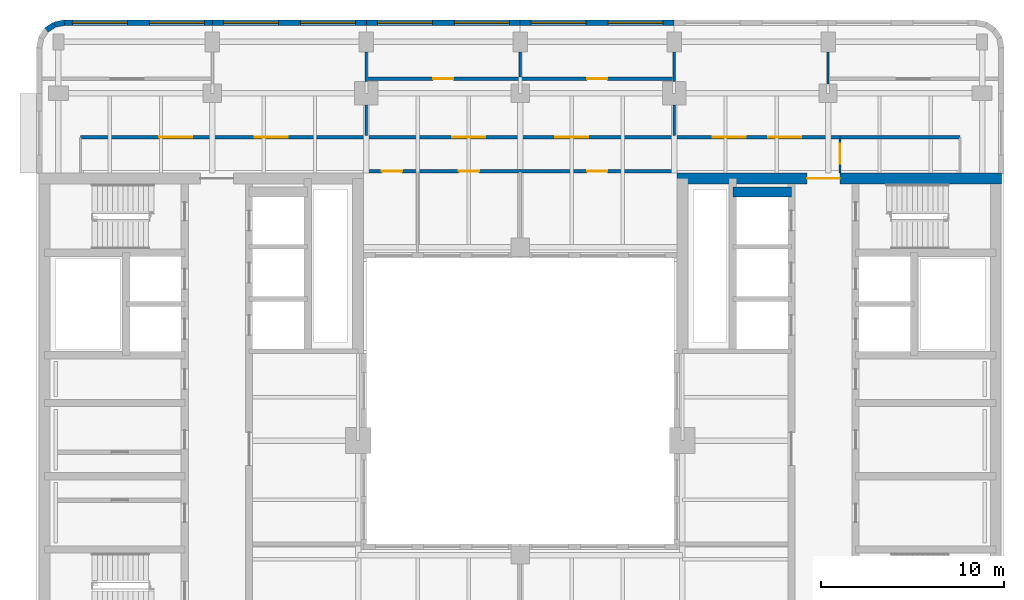
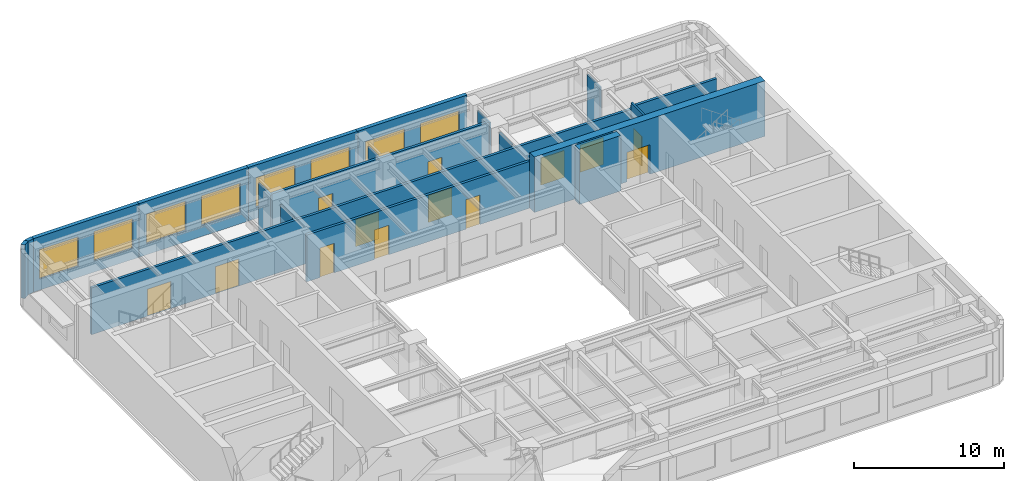
# One storey, part 7 of 11: 19 walls, 13 doors, 8 windows, 21 openings.
"""IFC4 building model written with IfcOpenShell, lengths in metres."""

from ifc_helpers import new_model, si_unit, direction, frame, frame_2d, origin, place, context, subcontext, project, spatial, rectangle, extrude, material, layer, layer_set, type_object, element, fill, save


model = new_model("IFC4")

# Units and contexts
model_context = context("Model", 3, precision=1e-05, world=origin(), true_north=direction((0.0, 1.0)))
body_context = subcontext(model_context, "Body", "Model", "MODEL_VIEW")
ifc_project = project(units=[si_unit("LENGTHUNIT", "METRE"), si_unit("AREAUNIT", "SQUARE_METRE"), si_unit("VOLUMEUNIT", "CUBIC_METRE"), si_unit("PLANEANGLEUNIT", "RADIAN"), si_unit("MASSUNIT", "GRAM", prefix="KILO")], contexts=[model_context])

# Site, building, storey
site_placement = place(None, origin())
site = spatial("IfcSite", under=ifc_project, at=site_placement, CompositionType="ELEMENT")
building_placement = place(site_placement, origin())
building = spatial("IfcBuilding", under=site, at=building_placement, Name="Claustro Exchange Tower", CompositionType="ELEMENT")
storey_placement = place(building_placement, frame((0.0, 0.0, 259.199951171875)))
storey = spatial("IfcBuildingStorey", under=building, at=storey_placement, Name="L59", CompositionType="ELEMENT", Elevation=259.199951171875)

# Walls
ifc_material_1 = material(Name="Laminated glass in aluminium frame", Category="aluminium")
ifc_layer_1 = layer(ifc_material_1, 0.1201171875)
ifc_layer_set_1 = layer_set([ifc_layer_1], Name="Laminated glass in aluminium frame")
wall_type_1 = type_object("IfcWallType", Name="P2 120 glazed partition", PredefinedType="PARTITIONING", material=ifc_layer_set_1)
wall_1_placement = place(storey_placement, frame((16.800048828125, 42.64794921875, 0.0), z_axis=(0.0, 0.0, 1.0), x_axis=(0.0, 1.0, 0.0)))
element("IfcWall", 1, at=wall_1_placement, inside=storey, type_object=wall_type_1, Name="Partition P2 L59", PredefinedType="PARTITIONING", context=body_context, shape_type="SweptSolid", body=[
    extrude(rectangle(XDim=1.60302734375, YDim=0.1201171875, at=frame_2d((0.801513671875, 0.0))), origin(), (0.0, 0.0, 1.0), 3.989990234375),
])
wall_2_placement = place(storey_placement, frame((25.199951171875, 42.89794921875, 0.0), z_axis=(0.0, 0.0, 1.0), x_axis=(0.0, 1.0, 0.0)))
element("IfcWall", 2, at=wall_2_placement, inside=storey, type_object=wall_type_1, Name="Partition P2 L59", PredefinedType="PARTITIONING", context=body_context, shape_type="SweptSolid", body=[
    extrude(rectangle(XDim=1.35302734375, YDim=0.1201171875, at=frame_2d((0.676513671875, 0.0))), origin(), (0.0, 0.0, 1.0), 3.989990234375),
])
wall_3_placement = place(storey_placement, frame((33.60009765625, 42.64794921875, 0.0), z_axis=(0.0, 0.0, 1.0), x_axis=(0.0, 1.0, 0.0)))
element("IfcWall", 3, at=wall_3_placement, inside=storey, type_object=wall_type_1, Name="Partition P2 L59", PredefinedType="PARTITIONING", context=body_context, shape_type="SweptSolid", body=[
    extrude(rectangle(XDim=1.60302734375, YDim=0.1201171875, at=frame_2d((0.801513671875, 0.0))), origin(), (0.0, 0.0, 1.0), 3.989990234375),
])
wall_4_placement = place(storey_placement, frame((42.0, 42.498046875, 0.0), z_axis=(0.0, 0.0, 1.0), x_axis=(0.0, 1.0, 0.0)))
element("IfcWall", 4, at=wall_4_placement, inside=storey, type_object=wall_type_1, Name="Partition P2 L59", PredefinedType="PARTITIONING", context=body_context, shape_type="SweptSolid", body=[
    extrude(rectangle(XDim=1.7529296875, YDim=0.1201171875, at=frame_2d((0.87646484375, 0.0))), origin(), (0.0, 0.0, 1.0), 3.989990234375),
])
for number, where, z_axis, x_axis, name in (
    (5, (16.800048828125, 39.697998046875, 0.0), (0.0, 0.0, 1.0), (0.0, 1.0, 0.0), "Partition P2 L59"),
    (6, (33.60009765625, 39.697998046875, 0.0), (0.0, 0.0, 1.0), (0.0, 1.0, 0.0), "Partition P2 L59"),
):
    element("IfcWall", number, at=place(storey_placement, frame(where, z_axis=z_axis, x_axis=x_axis)), inside=storey, type_object=wall_type_1, Name=name, PredefinedType="PARTITIONING", context=body_context, shape_type="SweptSolid", body=[
        extrude(rectangle(XDim=1.653076171875, YDim=0.1201171875, at=frame_2d((0.82666015625, 0.0))), origin(), (0.0, 0.0, 1.0), 3.989990234375),
    ])

# Wall, opening, door
wall_5_placement = place(storey_placement, frame((42.64990234375, 37.64794921875, 0.0), z_axis=(0.0, 0.0, 1.0), x_axis=(0.0, 1.0, 0.0)))
wall_5 = element("IfcWall", 7, at=wall_5_placement, inside=storey, type_object=wall_type_1, Name="Partition P2 L59", PredefinedType="PARTITIONING", context=body_context, shape_type="SweptSolid", body=[
    extrude(rectangle(XDim=1.85400390625, YDim=0.1201171875, at=frame_2d((0.927001953125, 0.0))), origin(), (0.0, 0.0, 1.0), 4.35009765625),
])
opening_1_placement = place(wall_5_placement, frame((0.501953125, 0.0, 0.0)))
opening_1 = element("IfcOpeningElement", 8, at=opening_1_placement, cuts=wall_5, Name="Opening D8", PredefinedType="OPENING", context=body_context, shape_type="SweptSolid", body=[
    extrude(rectangle(XDim=1.10009765625, YDim=2.39990234375, at=frame_2d((0.550048828125, 1.199951171875))), frame((0.0, 0.070068359375, 0.0), z_axis=(0.0, -1.0, 0.0), x_axis=(1.0, 0.0, 0.0)), (0.0, 0.0, 1.0), 0.14013671875),
])
ifc_material_2 = material(Name="Timber door, walnut veneer", Category="wood")
door_type_1 = type_object("IfcDoorType", Name="D8 1100 x 2400 executive door", OperationType="SINGLE_SWING_LEFT", PredefinedType="DOOR", material=ifc_material_2)
door_1_placement = place(opening_1_placement, frame((1.10009765625, 0.0, 0.0), z_axis=(0.0, 0.0, 1.0), x_axis=(-1.0, 0.0, 0.0)))
door_1 = element("IfcDoor", 9, at=door_1_placement, inside=storey, type_object=door_type_1, Name="Door D8 L59", OperationType="SINGLE_SWING_LEFT", OverallHeight=2.39990234375, OverallWidth=1.10009765625, PredefinedType="DOOR", context=body_context, shape_type="SweptSolid", body=[
    extrude(rectangle(XDim=1.10009765625, YDim=2.39990234375, at=frame_2d((0.550048828125, 1.199951171875))), frame((0.0, 0.02490234375, 0.0), z_axis=(0.0, -1.0, 0.0), x_axis=(1.0, 0.0, 0.0)), (0.0, 0.0, 1.0), 0.050048828125),
])
fill(opening_1, door_1)

# Wall, openings, doors
ifc_material_3 = material(Name="Twin-skin gypsum board on steel studs, mineral wool", Category="steel")
ifc_layer_2 = layer(ifc_material_3, 0.199951171875)
ifc_layer_set_2 = layer_set([ifc_layer_2], Name="Twin-skin gypsum board on steel studs, mineral wool")
wall_type_2 = type_object("IfcWallType", Name="P3 200 acoustic partition", PredefinedType="PARTITIONING", material=ifc_layer_set_2)
wall_6_placement = place(storey_placement, frame((16.800048828125, 42.800048828125, 0.0), z_axis=(0.0, 0.0, 1.0), x_axis=(1.0, 0.0, 0.0)))
wall_6 = element("IfcWall", 10, at=wall_6_placement, inside=storey, type_object=wall_type_2, Name="Partition P3 L59", PredefinedType="PARTITIONING", context=body_context, shape_type="SweptSolid", body=[
    extrude(rectangle(XDim=16.800048828125, YDim=0.199951171875, at=frame_2d((8.39990234375, 0.0))), origin(), (0.0, 0.0, 1.0), 3.989990234375),
])
opening_2_placement = place(wall_6_placement, frame((3.64990234375, 0.0, 0.0)))
opening_2 = element("IfcOpeningElement", 11, at=opening_2_placement, cuts=wall_6, Name="Opening D8", PredefinedType="OPENING", context=body_context, shape_type="SweptSolid", body=[
    extrude(rectangle(XDim=1.10009765625, YDim=2.39990234375, at=frame_2d((0.550048828125, 1.199951171875))), frame((0.0, 0.10986328125, 0.0), z_axis=(0.0, -1.0, 0.0), x_axis=(1.0, 0.0, 0.0)), (0.0, 0.0, 1.0), 0.219970703125),
])
opening_3_placement = place(wall_6_placement, frame((12.050048828125, 0.0, 0.0)))
opening_3 = element("IfcOpeningElement", 12, at=opening_3_placement, cuts=wall_6, Name="Opening D8", PredefinedType="OPENING", context=body_context, shape_type="SweptSolid", body=[
    extrude(rectangle(XDim=1.10009765625, YDim=2.39990234375, at=frame_2d((0.550048828125, 1.199951171875))), frame((0.0, 0.10986328125, 0.0), z_axis=(0.0, -1.0, 0.0), x_axis=(1.0, 0.0, 0.0)), (0.0, 0.0, 1.0), 0.219970703125),
])
door_2_placement = place(opening_2_placement, origin())
door_2 = element("IfcDoor", 13, at=door_2_placement, inside=storey, type_object=door_type_1, Name="Door D8 L59", OperationType="SINGLE_SWING_RIGHT", OverallHeight=2.39990234375, OverallWidth=1.10009765625, PredefinedType="DOOR", context=body_context, shape_type="SweptSolid", body=[
    extrude(rectangle(XDim=1.10009765625, YDim=2.39990234375, at=frame_2d((0.550048828125, 1.199951171875))), frame((0.0, 0.02490234375, 0.0), z_axis=(0.0, -1.0, 0.0), x_axis=(1.0, 0.0, 0.0)), (0.0, 0.0, 1.0), 0.050048828125),
])
fill(opening_2, door_2)
door_3_placement = place(opening_3_placement, origin())
door_3 = element("IfcDoor", 14, at=door_3_placement, inside=storey, type_object=door_type_1, Name="Door D8 L59", OperationType="SINGLE_SWING_RIGHT", OverallHeight=2.39990234375, OverallWidth=1.10009765625, PredefinedType="DOOR", context=body_context, shape_type="SweptSolid", body=[
    extrude(rectangle(XDim=1.10009765625, YDim=2.39990234375, at=frame_2d((0.550048828125, 1.199951171875))), frame((0.0, 0.02490234375, 0.0), z_axis=(0.0, -1.0, 0.0), x_axis=(1.0, 0.0, 0.0)), (0.0, 0.0, 1.0), 0.050048828125),
])
fill(opening_3, door_3)

wall_7_placement = place(storey_placement, frame((1.199951171875, 39.60009765625, 0.0), z_axis=(0.0, 0.0, 1.0), x_axis=(1.0, 0.0, 0.0)))
wall_7 = element("IfcWall", 15, at=wall_7_placement, inside=storey, type_object=wall_type_2, Name="Partition P3 L59", PredefinedType="PARTITIONING", context=body_context, shape_type="SweptSolid", body=[
    extrude(rectangle(XDim=41.4521484375, YDim=0.199951171875, at=frame_2d((20.72607421875, 0.0))), origin(), (0.0, 0.0, 1.0), 3.800048828125),
])
opening_4_placement = place(wall_7_placement, frame((4.300048828125, 0.0, 0.0)))
opening_4 = element("IfcOpeningElement", 16, at=opening_4_placement, cuts=wall_7, Name="Opening D2", PredefinedType="OPENING", context=body_context, shape_type="SweptSolid", body=[
    extrude(rectangle(XDim=1.800048828125, YDim=2.199951171875, at=frame_2d((0.89990234375, 1.10009765625))), frame((0.0, 0.10986328125, 0.0), z_axis=(0.0, -1.0, 0.0), x_axis=(1.0, 0.0, 0.0)), (0.0, 0.0, 1.0), 0.219970703125),
])
opening_5_placement = place(wall_7_placement, frame((9.5, 0.0, 0.0)))
opening_5 = element("IfcOpeningElement", 17, at=opening_5_placement, cuts=wall_7, Name="Opening D2", PredefinedType="OPENING", context=body_context, shape_type="SweptSolid", body=[
    extrude(rectangle(XDim=1.800048828125, YDim=2.199951171875, at=frame_2d((0.89990234375, 1.10009765625))), frame((0.0, 0.10986328125, 0.0), z_axis=(0.0, -1.0, 0.0), x_axis=(1.0, 0.0, 0.0)), (0.0, 0.0, 1.0), 0.219970703125),
])
opening_6_placement = place(wall_7_placement, frame((20.300048828125, 0.0, 0.0)))
opening_6 = element("IfcOpeningElement", 18, at=opening_6_placement, cuts=wall_7, Name="Opening D2", PredefinedType="OPENING", context=body_context, shape_type="SweptSolid", body=[
    extrude(rectangle(XDim=1.800048828125, YDim=2.199951171875, at=frame_2d((0.89990234375, 1.10009765625))), frame((0.0, 0.10986328125, 0.0), z_axis=(0.0, -1.0, 0.0), x_axis=(1.0, 0.0, 0.0)), (0.0, 0.0, 1.0), 0.219970703125),
])
opening_7_placement = place(wall_7_placement, frame((25.89990234375, 0.0, 0.0)))
opening_7 = element("IfcOpeningElement", 19, at=opening_7_placement, cuts=wall_7, Name="Opening D2", PredefinedType="OPENING", context=body_context, shape_type="SweptSolid", body=[
    extrude(rectangle(XDim=1.800048828125, YDim=2.199951171875, at=frame_2d((0.89990234375, 1.10009765625))), frame((0.0, 0.10986328125, 0.0), z_axis=(0.0, -1.0, 0.0), x_axis=(1.0, 0.0, 0.0)), (0.0, 0.0, 1.0), 0.219970703125),
])
opening_8_placement = place(wall_7_placement, frame((34.5166015625, 0.0, 0.0)))
opening_8 = element("IfcOpeningElement", 20, at=opening_8_placement, cuts=wall_7, Name="Opening D2", PredefinedType="OPENING", context=body_context, shape_type="SweptSolid", body=[
    extrude(rectangle(XDim=1.800048828125, YDim=2.199951171875, at=frame_2d((0.89990234375, 1.10009765625))), frame((0.0, 0.10986328125, 0.0), z_axis=(0.0, -1.0, 0.0), x_axis=(1.0, 0.0, 0.0)), (0.0, 0.0, 1.0), 0.219970703125),
])
opening_9_placement = place(wall_7_placement, frame((37.533203125, 0.0, 0.0)))
opening_9 = element("IfcOpeningElement", 21, at=opening_9_placement, cuts=wall_7, Name="Opening D2", PredefinedType="OPENING", context=body_context, shape_type="SweptSolid", body=[
    extrude(rectangle(XDim=1.800048828125, YDim=2.199951171875, at=frame_2d((0.89990234375, 1.10009765625))), frame((0.0, 0.10986328125, 0.0), z_axis=(0.0, -1.0, 0.0), x_axis=(1.0, 0.0, 0.0)), (0.0, 0.0, 1.0), 0.219970703125),
])
ifc_material_4 = material(Name="Timber door, oak veneer", Category="wood")
door_type_2 = type_object("IfcDoorType", Name="D2 1800 x 2200 double door", OperationType="DOUBLE_DOOR_SINGLE_SWING", PredefinedType="DOOR", material=ifc_material_4)
door_4_placement = place(opening_4_placement, frame((1.800048828125, 0.0, 0.0), z_axis=(0.0, 0.0, 1.0), x_axis=(-1.0, 0.0, 0.0)))
door_4 = element("IfcDoor", 22, at=door_4_placement, inside=storey, type_object=door_type_2, Name="Double door D2 L59", OperationType="DOUBLE_DOOR_SINGLE_SWING", OverallHeight=2.199951171875, OverallWidth=1.800048828125, PredefinedType="DOOR", context=body_context, shape_type="SweptSolid", body=[
    extrude(rectangle(XDim=1.800048828125, YDim=2.199951171875, at=frame_2d((0.89990234375, 1.10009765625))), frame((0.0, 0.02490234375, 0.0), z_axis=(0.0, -1.0, 0.0), x_axis=(1.0, 0.0, 0.0)), (0.0, 0.0, 1.0), 0.050048828125),
])
fill(opening_4, door_4)
door_5_placement = place(opening_5_placement, frame((1.800048828125, 0.0, 0.0), z_axis=(0.0, 0.0, 1.0), x_axis=(-1.0, 0.0, 0.0)))
door_5 = element("IfcDoor", 23, at=door_5_placement, inside=storey, type_object=door_type_2, Name="Double door D2 L59", OperationType="DOUBLE_DOOR_SINGLE_SWING", OverallHeight=2.199951171875, OverallWidth=1.800048828125, PredefinedType="DOOR", context=body_context, shape_type="SweptSolid", body=[
    extrude(rectangle(XDim=1.800048828125, YDim=2.199951171875, at=frame_2d((0.89990234375, 1.10009765625))), frame((0.0, 0.02490234375, 0.0), z_axis=(0.0, -1.0, 0.0), x_axis=(1.0, 0.0, 0.0)), (0.0, 0.0, 1.0), 0.050048828125),
])
fill(opening_5, door_5)
door_6_placement = place(opening_6_placement, origin())
door_6 = element("IfcDoor", 24, at=door_6_placement, inside=storey, type_object=door_type_2, Name="Double door D2 L59", OperationType="DOUBLE_DOOR_SINGLE_SWING", OverallHeight=2.199951171875, OverallWidth=1.800048828125, PredefinedType="DOOR", context=body_context, shape_type="SweptSolid", body=[
    extrude(rectangle(XDim=1.800048828125, YDim=2.199951171875, at=frame_2d((0.89990234375, 1.10009765625))), frame((0.0, 0.02490234375, 0.0), z_axis=(0.0, -1.0, 0.0), x_axis=(1.0, 0.0, 0.0)), (0.0, 0.0, 1.0), 0.050048828125),
])
fill(opening_6, door_6)
door_7_placement = place(opening_7_placement, origin())
door_7 = element("IfcDoor", 25, at=door_7_placement, inside=storey, type_object=door_type_2, Name="Double door D2 L59", OperationType="DOUBLE_DOOR_SINGLE_SWING", OverallHeight=2.199951171875, OverallWidth=1.800048828125, PredefinedType="DOOR", context=body_context, shape_type="SweptSolid", body=[
    extrude(rectangle(XDim=1.800048828125, YDim=2.199951171875, at=frame_2d((0.89990234375, 1.10009765625))), frame((0.0, 0.02490234375, 0.0), z_axis=(0.0, -1.0, 0.0), x_axis=(1.0, 0.0, 0.0)), (0.0, 0.0, 1.0), 0.050048828125),
])
fill(opening_7, door_7)
door_8_placement = place(opening_8_placement, origin())
door_8 = element("IfcDoor", 26, at=door_8_placement, inside=storey, type_object=door_type_2, Name="Double door D2 L59", OperationType="DOUBLE_DOOR_SINGLE_SWING", OverallHeight=2.199951171875, OverallWidth=1.800048828125, PredefinedType="DOOR", context=body_context, shape_type="SweptSolid", body=[
    extrude(rectangle(XDim=1.800048828125, YDim=2.199951171875, at=frame_2d((0.89990234375, 1.10009765625))), frame((0.0, 0.02490234375, 0.0), z_axis=(0.0, -1.0, 0.0), x_axis=(1.0, 0.0, 0.0)), (0.0, 0.0, 1.0), 0.050048828125),
])
fill(opening_8, door_8)
door_9_placement = place(opening_9_placement, origin())
door_9 = element("IfcDoor", 27, at=door_9_placement, inside=storey, type_object=door_type_2, Name="Double door D2 L59", OperationType="DOUBLE_DOOR_SINGLE_SWING", OverallHeight=2.199951171875, OverallWidth=1.800048828125, PredefinedType="DOOR", context=body_context, shape_type="SweptSolid", body=[
    extrude(rectangle(XDim=1.800048828125, YDim=2.199951171875, at=frame_2d((0.89990234375, 1.10009765625))), frame((0.0, 0.02490234375, 0.0), z_axis=(0.0, -1.0, 0.0), x_axis=(1.0, 0.0, 0.0)), (0.0, 0.0, 1.0), 0.050048828125),
])
fill(opening_9, door_9)

# Wall
wall_8_placement = place(storey_placement, frame((42.64794921875, 39.60009765625, 0.0), z_axis=(0.0, 0.0, 1.0), x_axis=(1.0, 0.0, 0.0)))
element("IfcWall", 28, at=wall_8_placement, inside=storey, type_object=wall_type_2, Name="Partition P3 L59", PredefinedType="PARTITIONING", context=body_context, shape_type="SweptSolid", body=[
    extrude(rectangle(XDim=6.552001953125, YDim=0.199951171875, at=frame_2d((3.27587890625, 0.0))), origin(), (0.0, 0.0, 1.0), 3.989990234375),
])

# Wall, openings, doors
wall_9_placement = place(storey_placement, frame((16.64990234375, 37.75, 0.0), z_axis=(0.0, 0.0, 1.0), x_axis=(1.0, 0.0, 0.0)))
wall_9 = element("IfcWall", 29, at=wall_9_placement, inside=storey, type_object=wall_type_2, Name="Partition P3 L59", PredefinedType="PARTITIONING", context=body_context, shape_type="SweptSolid", body=[
    extrude(rectangle(XDim=17.10009765625, YDim=0.199951171875, at=frame_2d((8.550048828125, 0.0))), origin(), (0.0, 0.0, 1.0), 3.800048828125),
])
opening_10_placement = place(wall_9_placement, frame((1.000732421875, 0.0, 0.0)))
opening_10 = element("IfcOpeningElement", 30, at=opening_10_placement, cuts=wall_9, Name="Opening D8", PredefinedType="OPENING", context=body_context, shape_type="SweptSolid", body=[
    extrude(rectangle(XDim=1.10009765625, YDim=2.39990234375, at=frame_2d((0.550048828125, 1.199951171875))), frame((0.0, 0.10986328125, 0.0), z_axis=(0.0, -1.0, 0.0), x_axis=(1.0, 0.0, 0.0)), (0.0, 0.0, 1.0), 0.219970703125),
])
opening_11_placement = place(wall_9_placement, frame((5.2001953125, 0.0, 0.0)))
opening_11 = element("IfcOpeningElement", 31, at=opening_11_placement, cuts=wall_9, Name="Opening D8", PredefinedType="OPENING", context=body_context, shape_type="SweptSolid", body=[
    extrude(rectangle(XDim=1.10009765625, YDim=2.39990234375, at=frame_2d((0.550048828125, 1.199951171875))), frame((0.0, 0.10986328125, 0.0), z_axis=(0.0, -1.0, 0.0), x_axis=(1.0, 0.0, 0.0)), (0.0, 0.0, 1.0), 0.219970703125),
])
opening_12_placement = place(wall_9_placement, frame((12.2001953125, 0.0, 0.0)))
opening_12 = element("IfcOpeningElement", 32, at=opening_12_placement, cuts=wall_9, Name="Opening D8", PredefinedType="OPENING", context=body_context, shape_type="SweptSolid", body=[
    extrude(rectangle(XDim=1.10009765625, YDim=2.39990234375, at=frame_2d((0.550048828125, 1.199951171875))), frame((0.0, 0.10986328125, 0.0), z_axis=(0.0, -1.0, 0.0), x_axis=(1.0, 0.0, 0.0)), (0.0, 0.0, 1.0), 0.219970703125),
])
door_10_placement = place(opening_10_placement, frame((1.10009765625, 0.0, 0.0), z_axis=(0.0, 0.0, 1.0), x_axis=(-1.0, 0.0, 0.0)))
door_10 = element("IfcDoor", 33, at=door_10_placement, inside=storey, type_object=door_type_1, Name="Door D8 L59", OperationType="SINGLE_SWING_LEFT", OverallHeight=2.39990234375, OverallWidth=1.10009765625, PredefinedType="DOOR", context=body_context, shape_type="SweptSolid", body=[
    extrude(rectangle(XDim=1.10009765625, YDim=2.39990234375, at=frame_2d((0.550048828125, 1.199951171875))), frame((0.0, 0.02490234375, 0.0), z_axis=(0.0, -1.0, 0.0), x_axis=(1.0, 0.0, 0.0)), (0.0, 0.0, 1.0), 0.050048828125),
])
fill(opening_10, door_10)
door_11_placement = place(opening_11_placement, frame((1.10009765625, 0.0, 0.0), z_axis=(0.0, 0.0, 1.0), x_axis=(-1.0, 0.0, 0.0)))
door_11 = element("IfcDoor", 34, at=door_11_placement, inside=storey, type_object=door_type_1, Name="Door D8 L59", OperationType="SINGLE_SWING_LEFT", OverallHeight=2.39990234375, OverallWidth=1.10009765625, PredefinedType="DOOR", context=body_context, shape_type="SweptSolid", body=[
    extrude(rectangle(XDim=1.10009765625, YDim=2.39990234375, at=frame_2d((0.550048828125, 1.199951171875))), frame((0.0, 0.02490234375, 0.0), z_axis=(0.0, -1.0, 0.0), x_axis=(1.0, 0.0, 0.0)), (0.0, 0.0, 1.0), 0.050048828125),
])
fill(opening_11, door_11)
door_12_placement = place(opening_12_placement, frame((1.10009765625, 0.0, 0.0), z_axis=(0.0, 0.0, 1.0), x_axis=(-1.0, 0.0, 0.0)))
door_12 = element("IfcDoor", 35, at=door_12_placement, inside=storey, type_object=door_type_1, Name="Door D8 L59", OperationType="SINGLE_SWING_LEFT", OverallHeight=2.39990234375, OverallWidth=1.10009765625, PredefinedType="DOOR", context=body_context, shape_type="SweptSolid", body=[
    extrude(rectangle(XDim=1.10009765625, YDim=2.39990234375, at=frame_2d((0.550048828125, 1.199951171875))), frame((0.0, 0.02490234375, 0.0), z_axis=(0.0, -1.0, 0.0), x_axis=(1.0, 0.0, 0.0)), (0.0, 0.0, 1.0), 0.050048828125),
])
fill(opening_12, door_12)

# Walls
ifc_material_5 = material(Name="Concrete HA-40 (C40/50), precast, white cement, acid-etched", Category="concrete")
ifc_layer_3 = layer(ifc_material_5, 0.300048828125)
ifc_layer_set_3 = layer_set([ifc_layer_3], Name="Concrete HA-40 (C40/50), precast, white cement, acid-etched")
wall_type_3 = type_object("IfcWallType", Name="PC1 300 precast concrete pier panel", PredefinedType="SOLIDWALL", material=ifc_layer_set_3)
wall_10_placement = place(storey_placement, frame((-0.652587890625, 45.45263671875, 0.0), z_axis=(0.0, 0.0, 1.0), x_axis=(0.831692711774, 0.555236195849, 0.0)))
element("IfcWall", 36, at=wall_10_placement, inside=storey, type_object=wall_type_3, Name="Precast pier panel PC1 L59", PredefinedType="SOLIDWALL", context=body_context, shape_type="SweptSolid", body=[
    extrude(rectangle(XDim=0.525390625, YDim=0.300048828125, at=frame_2d((0.2626953125, 0.0))), origin(), (0.0, 0.0, 1.0), 4.35009765625),
])
wall_11_placement = place(storey_placement, frame((-0.215576171875, 45.744384765625, 0.0), z_axis=(0.0, 0.0, 1.0), x_axis=(0.980702050465, 0.1955082817, 0.0)))
element("IfcWall", 37, at=wall_11_placement, inside=storey, type_object=wall_type_3, Name="Precast pier panel PC1 L59", PredefinedType="SOLIDWALL", context=body_context, shape_type="SweptSolid", body=[
    extrude(rectangle(XDim=0.540771484375, YDim=0.300048828125, at=frame_2d((0.2705078125, 0.0))), origin(), (0.0, 0.0, 1.0), 4.35009765625),
])

# Wall, openings, windows
wall_12_placement = place(storey_placement, frame((0.314697265625, 45.85009765625, 0.0), z_axis=(0.0, 0.0, 1.0), x_axis=(1.0, 0.0, 0.0)))
wall_12 = element("IfcWall", 38, at=wall_12_placement, inside=storey, type_object=wall_type_3, Name="Precast pier panel PC1 L59", PredefinedType="SOLIDWALL", context=body_context, shape_type="SweptSolid", body=[
    extrude(rectangle(XDim=8.085205078125, YDim=0.300048828125, at=frame_2d((4.04248046875, 0.0))), origin(), (0.0, 0.0, 1.0), 4.35009765625),
])
opening_13_placement = place(wall_12_placement, frame((0.442626953125, 0.0, 0.89990234375)))
opening_13 = element("IfcOpeningElement", 39, at=opening_13_placement, cuts=wall_12, Name="Opening W3", PredefinedType="OPENING", context=body_context, shape_type="SweptSolid", body=[
    extrude(rectangle(XDim=3.0, YDim=2.39990234375, at=frame_2d((1.5, 1.199951171875))), frame((0.0, 0.159912109375, 0.0), z_axis=(0.0, -1.0, 0.0), x_axis=(1.0, 0.0, 0.0)), (0.0, 0.0, 1.0), 0.320068359375),
])
opening_14_placement = place(wall_12_placement, frame((4.642578125, 0.0, 0.89990234375)))
opening_14 = element("IfcOpeningElement", 40, at=opening_14_placement, cuts=wall_12, Name="Opening W3", PredefinedType="OPENING", context=body_context, shape_type="SweptSolid", body=[
    extrude(rectangle(XDim=3.0, YDim=2.39990234375, at=frame_2d((1.5, 1.199951171875))), frame((0.0, 0.159912109375, 0.0), z_axis=(0.0, -1.0, 0.0), x_axis=(1.0, 0.0, 0.0)), (0.0, 0.0, 1.0), 0.320068359375),
])
ifc_material_6 = material(Name="Aluminium frame, clear double glazing", Category="aluminium")
window_type = type_object("IfcWindowType", Name="W3 3000 x 2400 window", PartitioningType="SINGLE_PANEL", PredefinedType="WINDOW", material=ifc_material_6)
window_1_placement = place(opening_13_placement, origin())
window_1 = element("IfcWindow", 41, at=window_1_placement, inside=storey, type_object=window_type, Name="Window W3 L59", OverallHeight=2.39990234375, OverallWidth=3.0, PartitioningType="SINGLE_PANEL", PredefinedType="WINDOW", context=body_context, shape_type="SweptSolid", body=[
    extrude(rectangle(XDim=3.0, YDim=2.39990234375, at=frame_2d((1.5, 1.199951171875))), frame((0.0, 0.030029296875, 0.0), z_axis=(0.0, -1.0, 0.0), x_axis=(1.0, 0.0, 0.0)), (0.0, 0.0, 1.0), 0.06005859375),
])
fill(opening_13, window_1)
window_2_placement = place(opening_14_placement, origin())
window_2 = element("IfcWindow", 42, at=window_2_placement, inside=storey, type_object=window_type, Name="Window W3 L59", OverallHeight=2.39990234375, OverallWidth=3.0, PartitioningType="SINGLE_PANEL", PredefinedType="WINDOW", context=body_context, shape_type="SweptSolid", body=[
    extrude(rectangle(XDim=3.0, YDim=2.39990234375, at=frame_2d((1.5, 1.199951171875))), frame((0.0, 0.030029296875, 0.0), z_axis=(0.0, -1.0, 0.0), x_axis=(1.0, 0.0, 0.0)), (0.0, 0.0, 1.0), 0.06005859375),
])
fill(opening_14, window_2)

wall_13_placement = place(storey_placement, frame((8.39990234375, 45.85009765625, 0.0), z_axis=(0.0, 0.0, 1.0), x_axis=(1.0, 0.0, 0.0)))
wall_13 = element("IfcWall", 43, at=wall_13_placement, inside=storey, type_object=wall_type_3, Name="Precast pier panel PC1 L59", PredefinedType="SOLIDWALL", context=body_context, shape_type="SweptSolid", body=[
    extrude(rectangle(XDim=8.400146484375, YDim=0.300048828125, at=frame_2d((4.2001953125, 0.0))), origin(), (0.0, 0.0, 1.0), 4.35009765625),
])
opening_15_placement = place(wall_13_placement, frame((0.60009765625, 0.0, 0.89990234375)))
opening_15 = element("IfcOpeningElement", 44, at=opening_15_placement, cuts=wall_13, Name="Opening W3", PredefinedType="OPENING", context=body_context, shape_type="SweptSolid", body=[
    extrude(rectangle(XDim=3.0, YDim=2.39990234375, at=frame_2d((1.5, 1.199951171875))), frame((0.0, 0.159912109375, 0.0), z_axis=(0.0, -1.0, 0.0), x_axis=(1.0, 0.0, 0.0)), (0.0, 0.0, 1.0), 0.320068359375),
])
opening_16_placement = place(wall_13_placement, frame((4.800048828125, 0.0, 0.89990234375)))
opening_16 = element("IfcOpeningElement", 45, at=opening_16_placement, cuts=wall_13, Name="Opening W3", PredefinedType="OPENING", context=body_context, shape_type="SweptSolid", body=[
    extrude(rectangle(XDim=3.0, YDim=2.39990234375, at=frame_2d((1.5, 1.199951171875))), frame((0.0, 0.159912109375, 0.0), z_axis=(0.0, -1.0, 0.0), x_axis=(1.0, 0.0, 0.0)), (0.0, 0.0, 1.0), 0.320068359375),
])
window_3_placement = place(opening_15_placement, origin())
window_3 = element("IfcWindow", 46, at=window_3_placement, inside=storey, type_object=window_type, Name="Window W3 L59", OverallHeight=2.39990234375, OverallWidth=3.0, PartitioningType="SINGLE_PANEL", PredefinedType="WINDOW", context=body_context, shape_type="SweptSolid", body=[
    extrude(rectangle(XDim=3.0, YDim=2.39990234375, at=frame_2d((1.5, 1.199951171875))), frame((0.0, 0.030029296875, 0.0), z_axis=(0.0, -1.0, 0.0), x_axis=(1.0, 0.0, 0.0)), (0.0, 0.0, 1.0), 0.06005859375),
])
fill(opening_15, window_3)
window_4_placement = place(opening_16_placement, origin())
window_4 = element("IfcWindow", 47, at=window_4_placement, inside=storey, type_object=window_type, Name="Window W3 L59", OverallHeight=2.39990234375, OverallWidth=3.0, PartitioningType="SINGLE_PANEL", PredefinedType="WINDOW", context=body_context, shape_type="SweptSolid", body=[
    extrude(rectangle(XDim=3.0, YDim=2.39990234375, at=frame_2d((1.5, 1.199951171875))), frame((0.0, 0.030029296875, 0.0), z_axis=(0.0, -1.0, 0.0), x_axis=(1.0, 0.0, 0.0)), (0.0, 0.0, 1.0), 0.06005859375),
])
fill(opening_16, window_4)

wall_14_placement = place(storey_placement, frame((16.800048828125, 45.85009765625, 0.0), z_axis=(0.0, 0.0, 1.0), x_axis=(1.0, 0.0, 0.0)))
wall_14 = element("IfcWall", 48, at=wall_14_placement, inside=storey, type_object=wall_type_3, Name="Precast pier panel PC1 L59", PredefinedType="SOLIDWALL", context=body_context, shape_type="SweptSolid", body=[
    extrude(rectangle(XDim=8.39990234375, YDim=0.300048828125, at=frame_2d((4.199951171875, 0.0))), origin(), (0.0, 0.0, 1.0), 4.35009765625),
])
opening_17_placement = place(wall_14_placement, frame((0.60009765625, 0.0, 0.89990234375)))
opening_17 = element("IfcOpeningElement", 49, at=opening_17_placement, cuts=wall_14, Name="Opening W3", PredefinedType="OPENING", context=body_context, shape_type="SweptSolid", body=[
    extrude(rectangle(XDim=3.0, YDim=2.39990234375, at=frame_2d((1.5, 1.199951171875))), frame((0.0, 0.159912109375, 0.0), z_axis=(0.0, -1.0, 0.0), x_axis=(1.0, 0.0, 0.0)), (0.0, 0.0, 1.0), 0.320068359375),
])
opening_18_placement = place(wall_14_placement, frame((4.800048828125, 0.0, 0.89990234375)))
opening_18 = element("IfcOpeningElement", 50, at=opening_18_placement, cuts=wall_14, Name="Opening W3", PredefinedType="OPENING", context=body_context, shape_type="SweptSolid", body=[
    extrude(rectangle(XDim=3.0, YDim=2.39990234375, at=frame_2d((1.5, 1.199951171875))), frame((0.0, 0.159912109375, 0.0), z_axis=(0.0, -1.0, 0.0), x_axis=(1.0, 0.0, 0.0)), (0.0, 0.0, 1.0), 0.320068359375),
])
window_5_placement = place(opening_17_placement, origin())
window_5 = element("IfcWindow", 51, at=window_5_placement, inside=storey, type_object=window_type, Name="Window W3 L59", OverallHeight=2.39990234375, OverallWidth=3.0, PartitioningType="SINGLE_PANEL", PredefinedType="WINDOW", context=body_context, shape_type="SweptSolid", body=[
    extrude(rectangle(XDim=3.0, YDim=2.39990234375, at=frame_2d((1.5, 1.199951171875))), frame((0.0, 0.030029296875, 0.0), z_axis=(0.0, -1.0, 0.0), x_axis=(1.0, 0.0, 0.0)), (0.0, 0.0, 1.0), 0.06005859375),
])
fill(opening_17, window_5)
window_6_placement = place(opening_18_placement, origin())
window_6 = element("IfcWindow", 52, at=window_6_placement, inside=storey, type_object=window_type, Name="Window W3 L59", OverallHeight=2.39990234375, OverallWidth=3.0, PartitioningType="SINGLE_PANEL", PredefinedType="WINDOW", context=body_context, shape_type="SweptSolid", body=[
    extrude(rectangle(XDim=3.0, YDim=2.39990234375, at=frame_2d((1.5, 1.199951171875))), frame((0.0, 0.030029296875, 0.0), z_axis=(0.0, -1.0, 0.0), x_axis=(1.0, 0.0, 0.0)), (0.0, 0.0, 1.0), 0.06005859375),
])
fill(opening_18, window_6)

wall_15_placement = place(storey_placement, frame((25.199951171875, 45.85009765625, 0.0), z_axis=(0.0, 0.0, 1.0), x_axis=(1.0, 0.0, 0.0)))
wall_15 = element("IfcWall", 53, at=wall_15_placement, inside=storey, type_object=wall_type_3, Name="Precast pier panel PC1 L59", PredefinedType="SOLIDWALL", context=body_context, shape_type="SweptSolid", body=[
    extrude(rectangle(XDim=8.400146484375, YDim=0.300048828125, at=frame_2d((4.2001953125, 0.0))), origin(), (0.0, 0.0, 1.0), 4.35009765625),
])
opening_19_placement = place(wall_15_placement, frame((0.60009765625, 0.0, 0.89990234375)))
opening_19 = element("IfcOpeningElement", 54, at=opening_19_placement, cuts=wall_15, Name="Opening W3", PredefinedType="OPENING", context=body_context, shape_type="SweptSolid", body=[
    extrude(rectangle(XDim=3.0, YDim=2.39990234375, at=frame_2d((1.5, 1.199951171875))), frame((0.0, 0.159912109375, 0.0), z_axis=(0.0, -1.0, 0.0), x_axis=(1.0, 0.0, 0.0)), (0.0, 0.0, 1.0), 0.320068359375),
])
opening_20_placement = place(wall_15_placement, frame((4.800048828125, 0.0, 0.89990234375)))
opening_20 = element("IfcOpeningElement", 55, at=opening_20_placement, cuts=wall_15, Name="Opening W3", PredefinedType="OPENING", context=body_context, shape_type="SweptSolid", body=[
    extrude(rectangle(XDim=3.0, YDim=2.39990234375, at=frame_2d((1.5, 1.199951171875))), frame((0.0, 0.159912109375, 0.0), z_axis=(0.0, -1.0, 0.0), x_axis=(1.0, 0.0, 0.0)), (0.0, 0.0, 1.0), 0.320068359375),
])
window_7_placement = place(opening_19_placement, origin())
window_7 = element("IfcWindow", 56, at=window_7_placement, inside=storey, type_object=window_type, Name="Window W3 L59", OverallHeight=2.39990234375, OverallWidth=3.0, PartitioningType="SINGLE_PANEL", PredefinedType="WINDOW", context=body_context, shape_type="SweptSolid", body=[
    extrude(rectangle(XDim=3.0, YDim=2.39990234375, at=frame_2d((1.5, 1.199951171875))), frame((0.0, 0.030029296875, 0.0), z_axis=(0.0, -1.0, 0.0), x_axis=(1.0, 0.0, 0.0)), (0.0, 0.0, 1.0), 0.06005859375),
])
fill(opening_19, window_7)
window_8_placement = place(opening_20_placement, origin())
window_8 = element("IfcWindow", 57, at=window_8_placement, inside=storey, type_object=window_type, Name="Window W3 L59", OverallHeight=2.39990234375, OverallWidth=3.0, PartitioningType="SINGLE_PANEL", PredefinedType="WINDOW", context=body_context, shape_type="SweptSolid", body=[
    extrude(rectangle(XDim=3.0, YDim=2.39990234375, at=frame_2d((1.5, 1.199951171875))), frame((0.0, 0.030029296875, 0.0), z_axis=(0.0, -1.0, 0.0), x_axis=(1.0, 0.0, 0.0)), (0.0, 0.0, 1.0), 0.06005859375),
])
fill(opening_20, window_8)

# Wall, opening, door
ifc_material_7 = material(Name="Concrete HA-50 (C50/60)", Category="concrete")
ifc_layer_4 = layer(ifc_material_7, 0.60009765625)
ifc_layer_set_4 = layer_set([ifc_layer_4], Name="Concrete HA-50 (C50/60)")
wall_type_4 = type_object("IfcWallType", Name="SW3 600 core shear wall", PredefinedType="SHEAR", material=ifc_layer_set_4)
wall_16_placement = place(storey_placement, frame((33.75, 37.35009765625, 0.0), z_axis=(0.0, 0.0, 1.0), x_axis=(1.0, 0.0, 0.0)))
wall_16 = element("IfcWall", 58, at=wall_16_placement, inside=storey, type_object=wall_type_4, Name="Core wall SW3 E core N face L59", PredefinedType="SHEAR", context=body_context, shape_type="SweptSolid", body=[
    extrude(rectangle(XDim=17.699951171875, YDim=0.60009765625, at=frame_2d((8.85009765625, 0.0))), origin(), (0.0, 0.0, 1.0), 4.5),
])
opening_21_placement = place(wall_16_placement, frame((7.10009765625, 0.0, 0.0)))
opening_21 = element("IfcOpeningElement", 59, at=opening_21_placement, cuts=wall_16, Name="Opening D3", PredefinedType="OPENING", context=body_context, shape_type="SweptSolid", body=[
    extrude(rectangle(XDim=1.800048828125, YDim=2.39990234375, at=frame_2d((0.89990234375, 1.199951171875))), frame((0.0, 0.31005859375, 0.0), z_axis=(0.0, -1.0, 0.0), x_axis=(1.0, 0.0, 0.0)), (0.0, 0.0, 1.0), 0.6201171875),
])
ifc_material_8 = material(Name="Steel fire door, painted", Category="steel")
door_type_3 = type_object("IfcDoorType", Name="D3 1800 x 2400 fire-rated lobby double door", OperationType="DOUBLE_DOOR_SINGLE_SWING", PredefinedType="DOOR", material=ifc_material_8)
door_13_placement = place(opening_21_placement, origin())
door_13 = element("IfcDoor", 60, at=door_13_placement, inside=storey, type_object=door_type_3, Name="Lift lobby door D3 L59", OperationType="DOUBLE_DOOR_SINGLE_SWING", OverallHeight=2.39990234375, OverallWidth=1.800048828125, PredefinedType="DOOR", context=body_context, shape_type="SweptSolid", body=[
    extrude(rectangle(XDim=1.800048828125, YDim=2.39990234375, at=frame_2d((0.89990234375, 1.199951171875))), frame((0.0, 0.02490234375, 0.0), z_axis=(0.0, -1.0, 0.0), x_axis=(1.0, 0.0, 0.0)), (0.0, 0.0, 1.0), 0.050048828125),
])
fill(opening_21, door_13)

# Wall
ifc_material_9 = material(Name="Concrete HA-50 (C50/60)", Category="concrete")
ifc_layer_5 = layer(ifc_material_9, 0.550048828125)
ifc_layer_set_5 = layer_set([ifc_layer_5], Name="Concrete HA-50 (C50/60)")
wall_type_5 = type_object("IfcWallType", Name="SW6 550 lift shaft end wall", PredefinedType="SHEAR", material=ifc_layer_set_5)
wall_17_placement = place(storey_placement, frame((40.0, 36.625, 0.0), z_axis=(0.0, 0.0, 1.0), x_axis=(-1.0, 0.0, 0.0)))
element("IfcWall", 61, at=wall_17_placement, inside=storey, type_object=wall_type_5, Name="Lift shaft wall E core L59", PredefinedType="SHEAR", context=body_context, shape_type="SweptSolid", body=[
    extrude(rectangle(XDim=3.199951171875, YDim=0.550048828125, at=frame_2d((1.60009765625, 0.0))), origin(), (0.0, 0.0, 1.0), 4.5),
])

save(model, "model.ifc")
